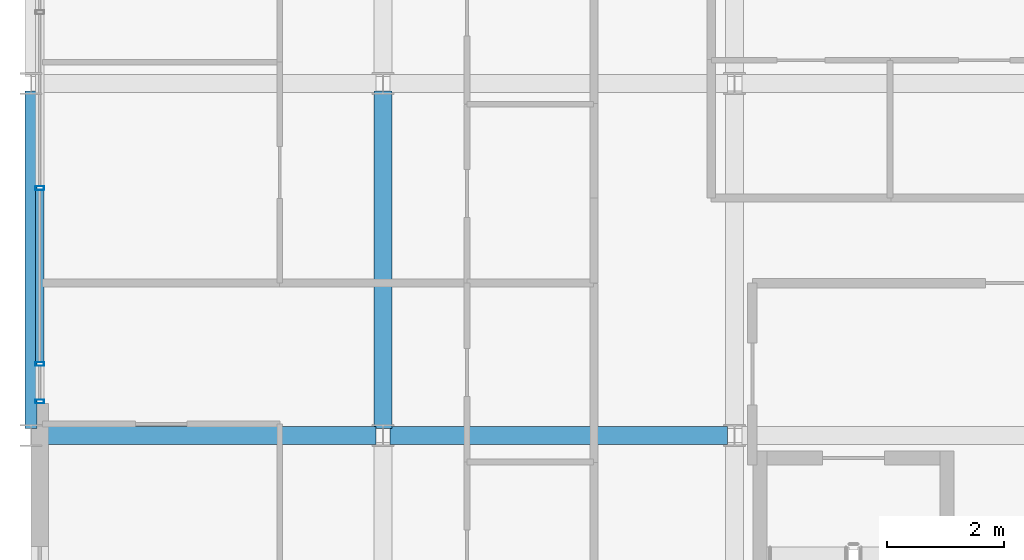
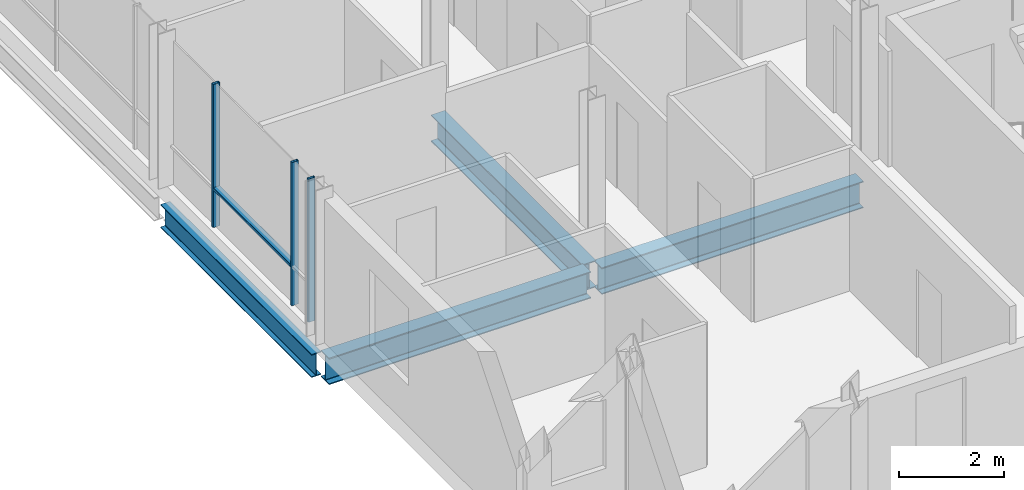
# One storey, part 4 of 35: 4 beams, 4 members, 1 element without a shape of its own.
"""IFC4 building model written with IfcOpenShell, lengths in metres."""

from ifc_helpers import new_model, si_unit, direction, frame, origin, origin_2d, place, context, subcontext, project, spatial, hollow_rectangle, i_section, extrude, material, layer, layer_set, material_profile, profile_set, type_object, element, aggregate, save


model = new_model("IFC4")

# Units and contexts
model_context = context("Model", 3, precision=1e-05, world=origin(), true_north=direction((0.0, 1.0)))
body_context = subcontext(model_context, "Body", "Model", "MODEL_VIEW")
ifc_project = project(units=[si_unit("LENGTHUNIT", "METRE"), si_unit("AREAUNIT", "SQUARE_METRE"), si_unit("VOLUMEUNIT", "CUBIC_METRE"), si_unit("PLANEANGLEUNIT", "RADIAN"), si_unit("MASSUNIT", "GRAM", prefix="KILO")], contexts=[model_context])

# Site, building, storey
site_placement = place(None, origin())
site = spatial("IfcSite", under=ifc_project, at=site_placement, CompositionType="ELEMENT")
building_placement = place(site_placement, origin())
building = spatial("IfcBuilding", under=site, at=building_placement, Name="Brevholm Reach", CompositionType="ELEMENT")
storey_placement = place(building_placement, frame((0.0, 0.0, 214.39990234375)))
storey = spatial("IfcBuildingStorey", under=building, at=storey_placement, Name="L65", CompositionType="ELEMENT", Elevation=214.39990234375)

# Beams
ifc_material_1 = material(Name="Structural Steel S355J2", Category="steel")
ifc_material_profile_1 = material_profile(ifc_material_1, i_section(OverallWidth=0.210693359375, OverallDepth=0.53955078125, WebThickness=0.01171875, FlangeThickness=0.018798828125, FilletRadius=0.0126953125, at=origin_2d()), Name="UKB 533x210x109")
ifc_profile_set_1 = profile_set([ifc_material_profile_1], Name="Structural Steel S355J2")
beam_type_1 = type_object("IfcBeamType", Name="BM-SP539", PredefinedType="SPANDREL", material=ifc_profile_set_1)
beam_placement = place(storey_placement, frame((0.0, 10.1201171875, -0.689697265625), z_axis=(0.0, 1.0, 0.0), x_axis=(-1.0, 0.0, 0.0)))
element("IfcBeam", 1, at=beam_placement, inside=storey, type_object=beam_type_1, Name="L65 SP-01B Framing Beam", PredefinedType="SPANDREL", context=body_context, shape_type="SweptSolid", body=[
    extrude(i_section(OverallWidth=0.210693359375, OverallDepth=0.53955078125, WebThickness=0.01171875, FlangeThickness=0.018798828125, FilletRadius=0.0126953125, at=origin_2d()), origin(), (0.0, 0.0, 1.0), 5.759765625),
])
ifc_material_2 = material(Name="Structural Steel S355J2", Category="steel")
ifc_material_profile_2 = material_profile(ifc_material_2, i_section(OverallWidth=0.30712890625, OverallDepth=0.6201171875, WebThickness=0.01416015625, FlangeThickness=0.023681640625, FilletRadius=0.0166015625, at=origin_2d()), Name="UKB 610x305x179")
ifc_profile_set_2 = profile_set([ifc_material_profile_2], Name="Structural Steel S355J2")
beam_type_2 = type_object("IfcBeamType", Name="BM-UKB610H", PredefinedType="USERDEFINED", material=ifc_profile_set_2)
for number, where, z_axis, x_axis, name in (
    (2, (0.1201171875, 10.0, -0.72998046875), (1.0, 0.0, 0.0), (0.0, 1.0, 0.0), "L65 G-06 Framing Beam"),
    (3, (6.1201171875, 10.0, -0.72998046875), (1.0, 0.0, 0.0), (0.0, 1.0, 0.0), "L65 G-06 Framing Beam"),
    (4, (6.0, 10.1201171875, -0.72998046875), (0.0, 1.0, 0.0), (-1.0, 0.0, 0.0), "L65 G-06 Framing Beam"),
):
    element("IfcBeam", number, at=place(storey_placement, frame(where, z_axis=z_axis, x_axis=x_axis)), inside=storey, type_object=beam_type_2, Name=name, ObjectType="GIRDER", PredefinedType="USERDEFINED", context=body_context, shape_type="SweptSolid", body=[
        extrude(i_section(OverallWidth=0.30712890625, OverallDepth=0.6201171875, WebThickness=0.01416015625, FlangeThickness=0.023681640625, FilletRadius=0.0166015625, at=origin_2d()), origin(), (0.0, 0.0, 1.0), 5.759765625),
    ])

# Curtain wall, members
ifc_material_3 = material(Name="Dark Anodised Aluminium 6063-T6 and Solar-Control Glass", Category="aluminium")
ifc_layer = layer(ifc_material_3, 0.14990234375)
ifc_layer_set = layer_set([ifc_layer], Name="Dark Anodised Aluminium 6063-T6 and Solar-Control Glass")
curtain_wall_type = type_object("IfcCurtainWallType", Name="CW-01", PredefinedType="NOTDEFINED", material=ifc_layer_set)
curtain_wall_placement = place(storey_placement, origin())
curtain_wall = element("IfcCurtainWall", 5, at=curtain_wall_placement, inside=storey, type_object=curtain_wall_type, Name="L65 Curtain Wall CW-01", PredefinedType="NOTDEFINED")
ifc_material_4 = material(Name="Dark Anodised Aluminium 6063-T6", Category="aluminium")
ifc_material_profile_3 = material_profile(ifc_material_4, hollow_rectangle(XDim=0.06494140625, YDim=0.14990234375, WallThickness=0.0048828125, InnerFilletRadius=0.0048828125, OuterFilletRadius=0.010009765625, at=origin_2d()), Name="RHS 150x65x5")
ifc_profile_set_3 = profile_set([ifc_material_profile_3], Name="Dark Anodised Aluminium 6063-T6")
member_type_1 = type_object("IfcMemberType", Name="CWM-150", PredefinedType="MULLION", material=ifc_profile_set_3)
member_1_placement = place(storey_placement, frame((0.14990234375, 14.219970703125, 0.0), z_axis=(0.0, 0.0, 1.0), x_axis=(0.0, -1.0, 0.0)))
member_1 = element("IfcMember", 6, at=member_1_placement, type_object=member_type_1, Name="CM-150 Mullion 4", PredefinedType="MULLION", context=body_context, shape_type="SweptSolid", body=[
    extrude(hollow_rectangle(XDim=0.06494140625, YDim=0.14990234375, WallThickness=0.0048828125, InnerFilletRadius=0.0048828125, OuterFilletRadius=0.010009765625, at=origin_2d()), origin(), (0.0, 0.0, 1.0), 3.330078125),
])
member_2_placement = place(storey_placement, frame((0.14990234375, 11.219970703125, 0.0), z_axis=(0.0, 0.0, 1.0), x_axis=(0.0, -1.0, 0.0)))
member_2 = element("IfcMember", 7, at=member_2_placement, type_object=member_type_1, Name="CM-150 Mullion 5", PredefinedType="MULLION", context=body_context, shape_type="SweptSolid", body=[
    extrude(hollow_rectangle(XDim=0.06494140625, YDim=0.14990234375, WallThickness=0.0048828125, InnerFilletRadius=0.0048828125, OuterFilletRadius=0.010009765625, at=origin_2d()), origin(), (0.0, 0.0, 1.0), 3.330078125),
])
member_3_placement = place(storey_placement, frame((0.14990234375, 10.58251953125, 0.0), z_axis=(0.0, 0.0, 1.0), x_axis=(0.0, -1.0, 0.0)))
member_3 = element("IfcMember", 8, at=member_3_placement, type_object=member_type_1, Name="CM-150 Mullion 6", PredefinedType="MULLION", context=body_context, shape_type="SweptSolid", body=[
    extrude(hollow_rectangle(XDim=0.06494140625, YDim=0.14990234375, WallThickness=0.0048828125, InnerFilletRadius=0.0048828125, OuterFilletRadius=0.010009765625, at=origin_2d()), origin(), (0.0, 0.0, 1.0), 3.330078125),
])
ifc_material_5 = material(Name="Dark Anodised Aluminium 6063-T6", Category="aluminium")
ifc_material_profile_4 = material_profile(ifc_material_5, hollow_rectangle(XDim=0.06494140625, YDim=0.14990234375, WallThickness=0.0048828125, InnerFilletRadius=0.0048828125, OuterFilletRadius=0.010009765625, at=origin_2d()), Name="RHS 150x65x5")
ifc_profile_set_4 = profile_set([ifc_material_profile_4], Name="Dark Anodised Aluminium 6063-T6")
member_type_2 = type_object("IfcMemberType", Name="CWT-150", PredefinedType="NOTDEFINED", material=ifc_profile_set_4)
member_4_placement = place(storey_placement, frame((0.14990234375, 14.1875, 0.900146484375), z_axis=(0.0, -1.0, 0.0), x_axis=(0.0, 0.0, 1.0)))
member_4 = element("IfcMember", 9, at=member_4_placement, type_object=member_type_2, Name="CT-150 Transom 4.1", ObjectType="TRANSOM", PredefinedType="USERDEFINED", context=body_context, shape_type="SweptSolid", body=[
    extrude(hollow_rectangle(XDim=0.06494140625, YDim=0.14990234375, WallThickness=0.0048828125, InnerFilletRadius=0.0048828125, OuterFilletRadius=0.010009765625, at=origin_2d()), origin(), (0.0, 0.0, 1.0), 2.93505859375),
])
aggregate(curtain_wall, [member_1, member_2, member_3, member_4])

save(model, "model.ifc")
